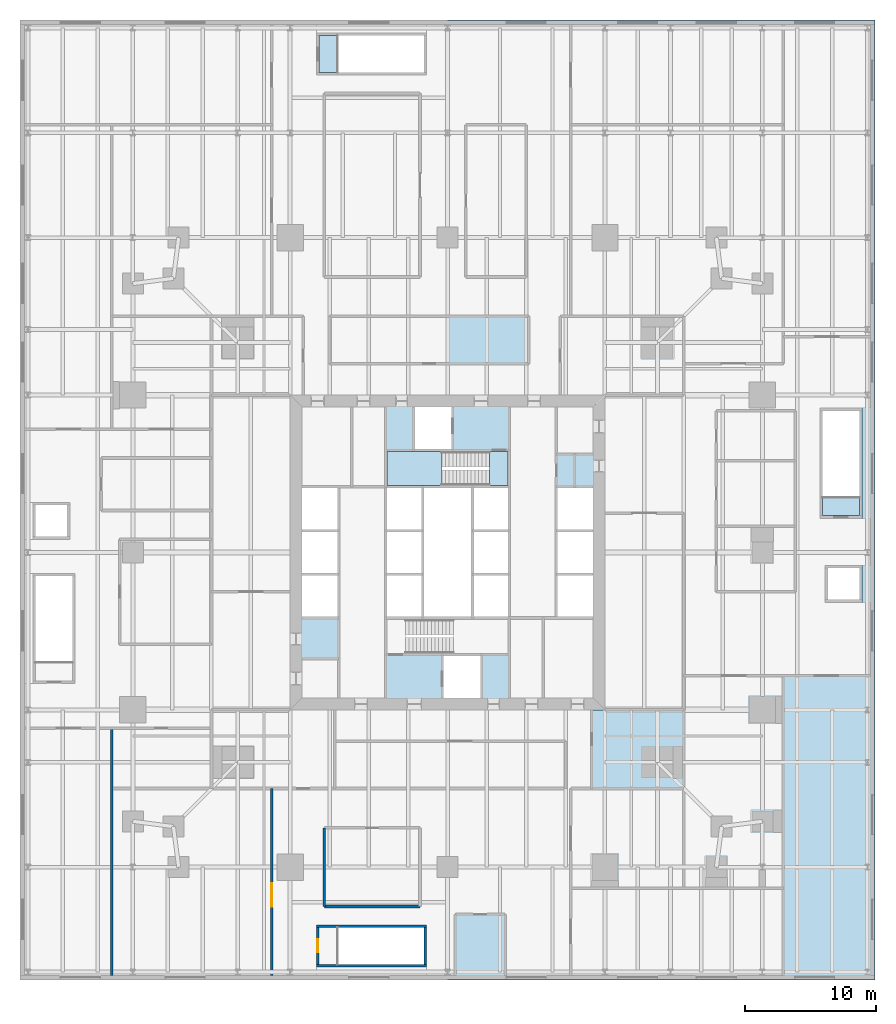
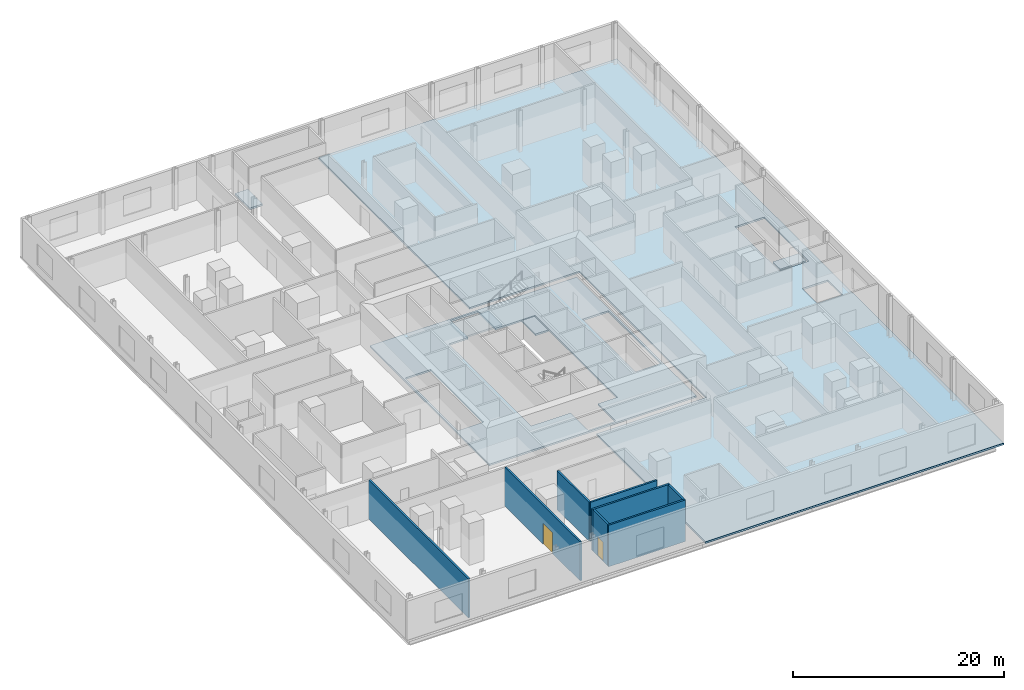
# One storey, part 8 of 15: 8 walls, 6 slabs, 2 doors, 2 openings, 1 element without a shape of its own.
"""IFC4 building model written with IfcOpenShell, lengths in metres."""

from ifc_helpers import new_model, si_unit, direction, frame, frame_2d, origin, place, context, subcontext, project, spatial, polyline, rectangle, outline, extrude, material, layer, layer_set, type_object, element, fill, aggregate, save


model = new_model("IFC4")

# Units and contexts
model_context = context("Model", 3, precision=1e-05, world=origin(), true_north=direction((0.0, 1.0)))
body_context = subcontext(model_context, "Body", "Model", "MODEL_VIEW")
ifc_project = project(units=[si_unit("LENGTHUNIT", "METRE"), si_unit("AREAUNIT", "SQUARE_METRE"), si_unit("VOLUMEUNIT", "CUBIC_METRE"), si_unit("PLANEANGLEUNIT", "RADIAN"), si_unit("MASSUNIT", "GRAM", prefix="KILO")], contexts=[model_context])

# Site, building, storey
site_placement = place(None, origin())
site = spatial("IfcSite", under=ifc_project, at=site_placement, CompositionType="ELEMENT")
building_placement = place(site_placement, origin())
building = spatial("IfcBuilding", under=site, at=building_placement, Name="Fenwick Lantern Interchange", CompositionType="ELEMENT")
storey_placement = place(building_placement, frame((0.0, 0.0, 26.199951171875)))
storey = spatial("IfcBuildingStorey", under=building, at=storey_placement, Name="L05", CompositionType="ELEMENT", Elevation=26.199951171875)

# Slabs
ifc_material_1 = material(Name="Concrete f'c 35 MPa", Category="concrete")
ifc_layer_1 = layer(ifc_material_1, 0.199951171875)
ifc_layer_set_1 = layer_set([ifc_layer_1], Name="CORE FLOOR SLAB 200")
slab_type_1 = type_object("IfcSlabType", Name="CORE FLOOR SLAB 200", PredefinedType="FLOOR", material=ifc_layer_set_1)
slab_1_placement = place(storey_placement, frame((0.0, 0.0, -0.199951171875)))
element("IfcSlab", 1, at=slab_1_placement, inside=storey, type_object=slab_type_1, Name="L05/SLAB/CORE", PredefinedType="FLOOR", context=body_context, shape_type="SweptSolid", body=[
    extrude(outline(polyline([(13.699951171875, 36.300048828125), (36.300048828125, 36.300048828125), (36.300048828125, 13.699951171875), (13.699951171875, 13.699951171875), (13.699951171875, 36.300048828125)]), holes=[polyline([(13.89990234375, 20.0), (16.699951171875, 20.0), (16.699951171875, 23.333251953125), (16.699951171875, 26.666748046875), (16.699951171875, 30.0), (13.89990234375, 30.0), (13.89990234375, 26.666748046875), (13.89990234375, 23.333251953125), (13.89990234375, 20.0)]), polyline([(20.300048828125, 20.0), (20.300048828125, 17.199951171875), (24.60009765625, 17.199951171875), (24.60009765625, 13.89990234375), (27.60009765625, 13.89990234375), (27.60009765625, 17.199951171875), (29.699951171875, 17.199951171875), (29.699951171875, 20.0), (29.699951171875, 23.333251953125), (29.699951171875, 26.666748046875), (29.699951171875, 30.0), (29.699951171875, 32.800048828125), (25.39990234375, 32.800048828125), (25.39990234375, 36.10009765625), (22.39990234375, 36.10009765625), (22.39990234375, 32.800048828125), (20.300048828125, 32.800048828125), (20.300048828125, 30.0), (20.300048828125, 26.666748046875), (20.300048828125, 23.333251953125), (20.300048828125, 20.0)]), polyline([(33.300048828125, 23.333251953125), (33.300048828125, 20.0), (36.10009765625, 20.0), (36.10009765625, 23.333251953125), (36.10009765625, 26.666748046875), (36.10009765625, 30.0), (33.300048828125, 30.0), (33.300048828125, 26.666748046875), (33.300048828125, 23.333251953125)])]), origin(), (0.0, 0.0, 1.0), 0.199951171875),
])
ifc_material_2 = material(Name="Concrete f'c 35 MPa", Category="concrete")
ifc_layer_2 = layer(ifc_material_2, 0.199951171875)
ifc_layer_set_2 = layer_set([ifc_layer_2], Name="Concrete f'c 35 MPa")
slab_type_2 = type_object("IfcSlabType", Name="FLOOR SLAB 200", PredefinedType="FLOOR", material=ifc_layer_set_2)
slab_2_placement = place(storey_placement, frame((0.0, 0.0, -0.199951171875)))
element("IfcSlab", 2, at=slab_2_placement, inside=storey, type_object=slab_type_2, Name="L05/SLAB/FE", PredefinedType="FLOOR", context=body_context, shape_type="SweptSolid", body=[
    extrude(outline(polyline([(57.60009765625, 65.60009765625), (57.60009765625, -7.60009765625), (25.0, -7.60009765625), (25.0, 13.0), (37.0, 13.0), (37.0, 37.0), (25.0, 37.0), (25.0, 65.60009765625), (57.60009765625, 65.60009765625)]), holes=[polyline([(56.60009765625, 27.60009765625), (56.60009765625, 36.0), (53.39990234375, 36.0), (53.39990234375, 27.60009765625), (56.60009765625, 27.60009765625)]), polyline([(56.60009765625, 21.199951171875), (56.60009765625, 24.0), (53.800048828125, 24.0), (53.800048828125, 21.199951171875), (56.60009765625, 21.199951171875)])]), origin(), (0.0, 0.0, 1.0), 0.199951171875),
])

# Stair, slabs
ifc_material_3 = material(Name="Precast concrete f'c 35 MPa", Category="concrete")
stair_type = type_object("IfcStairType", Name="EXIT STAIR 1200", PredefinedType="HALF_TURN_STAIR", material=ifc_material_3)
stair_placement = place(storey_placement, origin())
stair = element("IfcStair", 3, at=stair_placement, inside=storey, type_object=stair_type, Name="Exit stair ST2", PredefinedType="HALF_TURN_STAIR")
ifc_layer_3 = layer(ifc_material_1, 0.199951171875)
ifc_layer_set_3 = layer_set([ifc_layer_3], Name="STAIR LANDING 200")
slab_type_3 = type_object("IfcSlabType", Name="STAIR LANDING 200", PredefinedType="LANDING", material=ifc_layer_set_3)
slab_3_placement = place(storey_placement, frame((0.0, 0.0, 2.199951171875)))
slab_3 = element("IfcSlab", 4, at=slab_3_placement, type_object=slab_type_3, Name="ST2 landing 1", PredefinedType="LANDING", context=body_context, shape_type="SweptSolid", body=[
    extrude(outline(polyline([(24.56005859375, 32.699951171875), (20.39990234375, 32.699951171875), (20.39990234375, 30.10009765625), (24.56005859375, 30.10009765625), (24.56005859375, 32.699951171875)])), origin(), (0.0, 0.0, 1.0), 0.2001953125),
])
slab_4_placement = place(storey_placement, frame((0.0, 0.0, -0.199951171875)))
slab_4 = element("IfcSlab", 5, at=slab_4_placement, type_object=slab_type_3, Name="ST2 landing 2", PredefinedType="LANDING", context=body_context, shape_type="SweptSolid", body=[
    extrude(outline(polyline([(29.60009765625, 32.699951171875), (28.199951171875, 32.699951171875), (28.199951171875, 30.10009765625), (29.60009765625, 30.10009765625), (29.60009765625, 32.699951171875)])), origin(), (0.0, 0.0, 1.0), 0.199951171875),
])
aggregate(stair, [slab_3, slab_4])

# Slabs
slab_5_placement = place(storey_placement, frame((0.0, 0.0, -0.199951171875)))
element("IfcSlab", 6, at=slab_5_placement, inside=storey, type_object=slab_type_3, Name="PS1 top landing", PredefinedType="LANDING", context=body_context, shape_type="SweptSolid", body=[
    extrude(outline(polyline([(15.199951171875, 61.60009765625), (16.60009765625, 61.60009765625), (16.60009765625, 64.39990234375), (15.199951171875, 64.39990234375), (15.199951171875, 61.60009765625)])), origin(), (0.0, 0.0, 1.0), 0.199951171875),
])
slab_6_placement = place(storey_placement, frame((0.0, 0.0, -0.199951171875)))
element("IfcSlab", 7, at=slab_6_placement, inside=storey, type_object=slab_type_3, Name="PS4 top landing", PredefinedType="LANDING", context=body_context, shape_type="SweptSolid", body=[
    extrude(outline(polyline([(53.60009765625, 27.800048828125), (56.39990234375, 27.800048828125), (56.39990234375, 29.199951171875), (53.60009765625, 29.199951171875), (53.60009765625, 27.800048828125)])), origin(), (0.0, 0.0, 1.0), 0.199951171875),
])

# Wall
ifc_material_4 = material(Name="Gypsum board on steel studs, 1 hour", Category="steel")
ifc_layer_4 = layer(ifc_material_4, 0.199951171875)
ifc_layer_set_4 = layer_set([ifc_layer_4], Name="ROOM WALL 200")
wall_type_1 = type_object("IfcWallType", Name="ROOM WALL 200", PredefinedType="PARTITIONING", material=ifc_layer_set_4)
wall_1_placement = place(storey_placement, frame((-0.60009765625, -7.25, 0.0), z_axis=(0.0, 0.0, 1.0), x_axis=(0.0, 1.0, 0.0)))
element("IfcWall", 8, at=wall_1_placement, inside=storey, type_object=wall_type_1, Name="L05/W/POD/X-0.6-1", PredefinedType="PARTITIONING", context=body_context, shape_type="SweptSolid", body=[
    extrude(rectangle(XDim=18.85009765625, YDim=0.199951171875, at=frame_2d((9.425048828125, 0.0))), origin(), (0.0, 0.0, 1.0), 4.5),
])

# Wall, opening, door
wall_2_placement = place(storey_placement, frame((11.60009765625, -7.25, 0.0), z_axis=(0.0, 0.0, 1.0), x_axis=(0.0, 1.0, 0.0)))
wall_2 = element("IfcWall", 9, at=wall_2_placement, inside=storey, type_object=wall_type_1, Name="L05/W/POD/X11.6-1", PredefinedType="PARTITIONING", context=body_context, shape_type="SweptSolid", body=[
    extrude(rectangle(XDim=14.25, YDim=0.199951171875, at=frame_2d((7.125, 0.0))), origin(), (0.0, 0.0, 1.0), 4.5),
])
opening_1_placement = place(wall_2_placement, frame((5.22509765625, 0.0, 0.0)))
opening_1 = element("IfcOpeningElement", 10, at=opening_1_placement, cuts=wall_2, Name="Opening L05-D022", PredefinedType="OPENING", context=body_context, shape_type="SweptSolid", body=[
    extrude(rectangle(XDim=1.800048828125, YDim=2.39990234375, at=frame_2d((0.89990234375, 1.199951171875))), frame((0.0, 0.10986328125, 0.0), z_axis=(0.0, -1.0, 0.0), x_axis=(1.0, 0.0, 0.0)), (0.0, 0.0, 1.0), 0.219970703125),
])
ifc_material_5 = material(Name="Steel door and frame", Category="steel")
door_type_1 = type_object("IfcDoorType", Name="ROOM DOOR PAIR 1800 X 2400", OperationType="DOUBLE_DOOR_SINGLE_SWING", PredefinedType="DOOR", material=ifc_material_5)
door_1_placement = place(opening_1_placement, frame((1.800048828125, 0.0, 0.0), z_axis=(0.0, 0.0, 1.0), x_axis=(-1.0, 0.0, 0.0)))
door_1 = element("IfcDoor", 11, at=door_1_placement, inside=storey, type_object=door_type_1, Name="Room door pair", OperationType="DOUBLE_DOOR_SINGLE_SWING", OverallHeight=2.39990234375, OverallWidth=1.800048828125, PredefinedType="DOOR", context=body_context, shape_type="SweptSolid", body=[
    extrude(rectangle(XDim=1.800048828125, YDim=2.39990234375, at=frame_2d((0.89990234375, 1.199951171875))), frame((0.0, 0.02490234375, 0.0), z_axis=(0.0, -1.0, 0.0), x_axis=(1.0, 0.0, 0.0)), (0.0, 0.0, 1.0), 0.050048828125),
])
fill(opening_1, door_1)

# Walls
wall_3_placement = place(storey_placement, frame((15.60009765625, -2.0, 0.0), z_axis=(0.0, 0.0, 1.0), x_axis=(0.0, 1.0, 0.0)))
element("IfcWall", 12, at=wall_3_placement, inside=storey, type_object=wall_type_1, Name="L05/W/POD/X15.6-1", PredefinedType="PARTITIONING", context=body_context, shape_type="SweptSolid", body=[
    extrude(rectangle(XDim=6.0, YDim=0.199951171875, at=frame_2d((3.0, 0.0))), origin(), (0.0, 0.0, 1.0), 4.5),
])
wall_4_placement = place(storey_placement, frame((15.60009765625, -2.0, 0.0), z_axis=(0.0, 0.0, 1.0), x_axis=(1.0, 0.0, 0.0)))
element("IfcWall", 13, at=wall_4_placement, inside=storey, type_object=wall_type_1, Name="L05/W/POD/Y-2-1", PredefinedType="PARTITIONING", context=body_context, shape_type="SweptSolid", body=[
    extrude(rectangle(XDim=7.2998046875, YDim=0.199951171875, at=frame_2d((3.64990234375, 0.0))), origin(), (0.0, 0.0, 1.0), 4.5),
])
ifc_material_6 = material(Name="Reinforced concrete masonry ASTM C90 Grade N", Category="masonry")
ifc_layer_5 = layer(ifc_material_6, 0.199951171875)
ifc_layer_set_5 = layer_set([ifc_layer_5], Name="Reinforced concrete masonry ASTM C90 Grade N")
wall_type_2 = type_object("IfcWallType", Name="STAIR ENCLOSURE 200", PredefinedType="SOLIDWALL", material=ifc_layer_set_5)
wall_5_placement = place(storey_placement, frame((15.0, -6.5, 0.0), z_axis=(0.0, 0.0, 1.0), x_axis=(1.0, 0.0, 0.0)))
element("IfcWall", 14, at=wall_5_placement, inside=storey, type_object=wall_type_2, Name="L05/W/PS2/S", PredefinedType="SOLIDWALL", context=body_context, shape_type="SweptSolid", body=[
    extrude(rectangle(XDim=8.39990234375, YDim=0.199951171875, at=frame_2d((4.199951171875, 0.0))), origin(), (0.0, 0.0, 1.0), 4.800048828125),
])
wall_6_placement = place(storey_placement, frame((23.300048828125, -6.39990234375, 0.0), z_axis=(0.0, 0.0, 1.0), x_axis=(0.0, 1.0, 0.0)))
element("IfcWall", 15, at=wall_6_placement, inside=storey, type_object=wall_type_2, Name="L05/W/PS2/E", PredefinedType="SOLIDWALL", context=body_context, shape_type="SweptSolid", body=[
    extrude(rectangle(XDim=2.7998046875, YDim=0.199951171875, at=frame_2d((1.39990234375, 0.0))), origin(), (0.0, 0.0, 1.0), 4.800048828125),
])
wall_7_placement = place(storey_placement, frame((23.39990234375, -3.5, 0.0), z_axis=(0.0, 0.0, 1.0), x_axis=(-1.0, 0.0, 0.0)))
element("IfcWall", 16, at=wall_7_placement, inside=storey, type_object=wall_type_2, Name="L05/W/PS2/N", PredefinedType="SOLIDWALL", context=body_context, shape_type="SweptSolid", body=[
    extrude(rectangle(XDim=8.39990234375, YDim=0.199951171875, at=frame_2d((4.199951171875, 0.0))), origin(), (0.0, 0.0, 1.0), 4.800048828125),
])

# Wall, opening, door
wall_8_placement = place(storey_placement, frame((15.10009765625, -3.60009765625, 0.0), z_axis=(0.0, 0.0, 1.0), x_axis=(0.0, -1.0, 0.0)))
wall_8 = element("IfcWall", 17, at=wall_8_placement, inside=storey, type_object=wall_type_2, Name="L05/W/PS2/W", PredefinedType="SOLIDWALL", context=body_context, shape_type="SweptSolid", body=[
    extrude(rectangle(XDim=2.7998046875, YDim=0.199951171875, at=frame_2d((1.39990234375, 0.0))), origin(), (0.0, 0.0, 1.0), 4.800048828125),
])
opening_2_placement = place(wall_8_placement, frame((0.89990234375, 0.0, 0.0)))
opening_2 = element("IfcOpeningElement", 18, at=opening_2_placement, cuts=wall_8, Name="Opening L05-D019", PredefinedType="OPENING", context=body_context, shape_type="SweptSolid", body=[
    extrude(rectangle(XDim=1.0, YDim=2.199951171875, at=frame_2d((0.5, 1.10009765625))), frame((0.0, 0.10986328125, 0.0), z_axis=(0.0, -1.0, 0.0), x_axis=(1.0, 0.0, 0.0)), (0.0, 0.0, 1.0), 0.219970703125),
])
door_type_2 = type_object("IfcDoorType", Name="STAIR DOOR 1000 X 2200", OperationType="SINGLE_SWING_LEFT", PredefinedType="DOOR", material=ifc_material_5)
door_2_placement = place(opening_2_placement, origin())
door_2 = element("IfcDoor", 19, at=door_2_placement, inside=storey, type_object=door_type_2, Name="Stair door", OperationType="SINGLE_SWING_LEFT", OverallHeight=2.199951171875, OverallWidth=1.0, PredefinedType="DOOR", context=body_context, shape_type="SweptSolid", body=[
    extrude(rectangle(XDim=1.0, YDim=2.199951171875, at=frame_2d((0.5, 1.10009765625))), frame((0.0, 0.02490234375, 0.0), z_axis=(0.0, -1.0, 0.0), x_axis=(1.0, 0.0, 0.0)), (0.0, 0.0, 1.0), 0.050048828125),
])
fill(opening_2, door_2)

save(model, "model.ifc")
